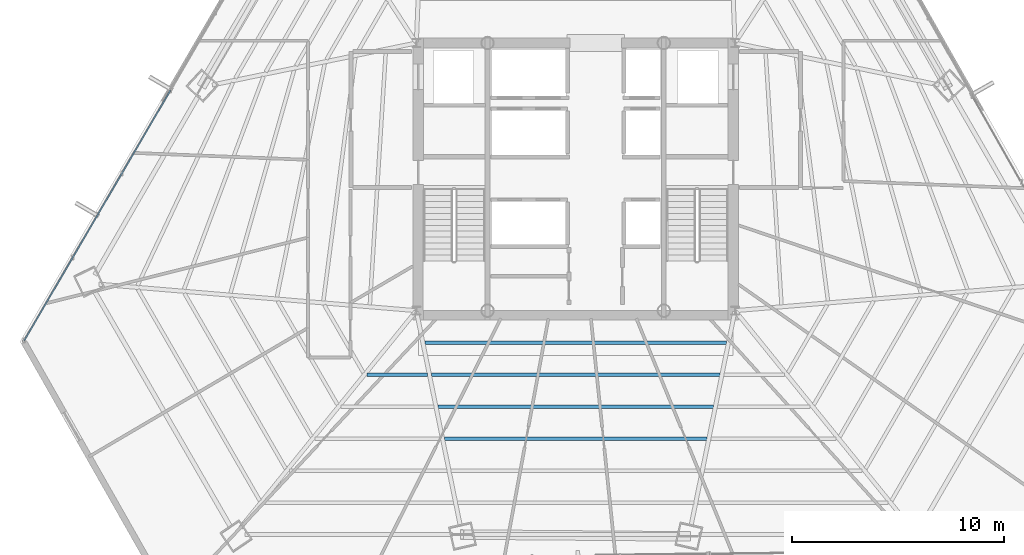
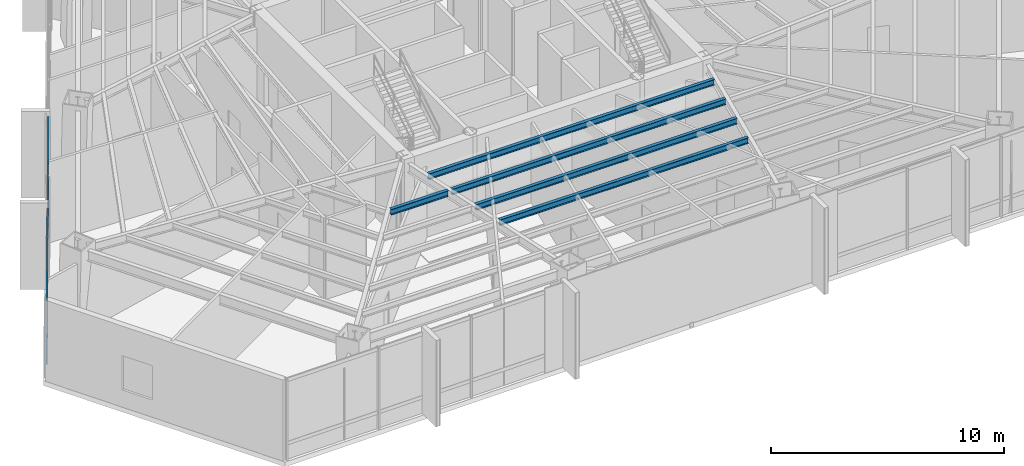
# One storey, part 9 of 37: 5 beams, 2 members, 1 element without a shape of its own.
"""IFC4 building model written with IfcOpenShell, lengths in metres."""

from ifc_helpers import new_model, si_unit, direction, frame, origin, origin_2d, place, context, subcontext, project, spatial, hollow_rectangle, i_section, extrude, source, transform, mapped, material, material_profile, profile_set, type_object, type_shapes, element, aggregate, save


model = new_model("IFC4")

# Units and contexts
model_context = context("Model", 3, precision=1e-05, world=origin(), true_north=direction((0.0, 1.0)))
body_context = subcontext(model_context, "Body", "Model", "MODEL_VIEW")
ifc_project = project(units=[si_unit("LENGTHUNIT", "METRE"), si_unit("AREAUNIT", "SQUARE_METRE"), si_unit("VOLUMEUNIT", "CUBIC_METRE"), si_unit("PLANEANGLEUNIT", "RADIAN"), si_unit("MASSUNIT", "GRAM", prefix="KILO")], contexts=[model_context])

# Site, building, storey
site_placement = place(None, origin())
site = spatial("IfcSite", under=ifc_project, at=site_placement, CompositionType="ELEMENT")
building_placement = place(site_placement, origin())
building = spatial("IfcBuilding", under=site, at=building_placement, Name="Caelisora Broadcast Tower", CompositionType="ELEMENT")
storey_placement = place(building_placement, frame((0.0, 0.0, 127.300048828125)))
storey = spatial("IfcBuildingStorey", under=building, at=storey_placement, Name="L33", CompositionType="ELEMENT", Elevation=127.300048828125)

# Beams
ifc_material_1 = material(Name="Steel Grade 350 (AS/NZS 3679.1)", Category="steel")
ifc_material_profile_1 = material_profile(ifc_material_1, i_section(OverallWidth=0.166015625, OverallDepth=0.30712890625, WebThickness=0.006591796875, FlangeThickness=0.01171875, at=origin_2d()), Name="Steel Grade 350 (AS/NZS 3679.1)")
ifc_profile_set_1 = profile_set([ifc_material_profile_1], Name="Steel Grade 350 (AS/NZS 3679.1)")
beam_type = type_object("IfcBeamType", Name="SB03", PredefinedType="JOIST", material=ifc_profile_set_1)
shared_shape_1 = source(origin(), body_context, "Body", "SweptSolid", [
    extrude(i_section(OverallWidth=0.166015625, OverallDepth=0.30712890625, WebThickness=0.006591796875, FlangeThickness=0.01171875, at=origin_2d()), origin(), (0.0, 0.0, 1.0), 2.840087890625),
])
beam_1_placement = place(storey_placement, frame((28.18115234375, 14.3896484375, 4.096435546875), z_axis=(1.0, 0.0, 0.0), x_axis=(0.0, 1.0, 0.0)))
element("IfcBeam", 1, at=beam_1_placement, inside=storey, type_object=beam_type, Name="L33 beam SB03", PredefinedType="JOIST", context=body_context, shape_type="MappedRepresentation", body=[
    mapped(shared_shape_1, transform((0.0, 0.0, 0.0), scale=1.0)),
])
shared_shape_2 = source(origin(), body_context, "Body", "SweptSolid", [
    extrude(i_section(OverallWidth=0.166015625, OverallDepth=0.30712890625, WebThickness=0.006591796875, FlangeThickness=0.01171875, at=origin_2d()), origin(), (0.0, 0.0, 1.0), 14.1953125),
])
beam_2_placement = place(storey_placement, frame((30.90234375, 15.894775390625, 4.096435546875), z_axis=(1.0, 0.0, 0.0), x_axis=(0.0, 1.0, 0.0)))
element("IfcBeam", 2, at=beam_2_placement, inside=storey, type_object=beam_type, Name="L33 beam SB03", PredefinedType="JOIST", context=body_context, shape_type="MappedRepresentation", body=[
    mapped(shared_shape_2, transform((0.0, 0.0, 0.0), scale=1.0)),
])
shared_shape_3 = source(origin(), body_context, "Body", "SweptSolid", [
    extrude(i_section(OverallWidth=0.166015625, OverallDepth=0.30712890625, WebThickness=0.006591796875, FlangeThickness=0.01171875, at=origin_2d()), origin(), (0.0, 0.0, 1.0), 13.57958984375),
])
beam_3_placement = place(storey_placement, frame((31.210205078125, 14.3896484375, 4.096435546875), z_axis=(1.0, 0.0, 0.0), x_axis=(0.0, 1.0, 0.0)))
element("IfcBeam", 3, at=beam_3_placement, inside=storey, type_object=beam_type, Name="L33 beam SB03", PredefinedType="JOIST", context=body_context, shape_type="MappedRepresentation", body=[
    mapped(shared_shape_3, transform((0.0, 0.0, 0.0), scale=1.0)),
])
shared_shape_4 = source(origin(), body_context, "Body", "SweptSolid", [
    extrude(i_section(OverallWidth=0.166015625, OverallDepth=0.30712890625, WebThickness=0.006591796875, FlangeThickness=0.01171875, at=origin_2d()), origin(), (0.0, 0.0, 1.0), 12.9638671875),
])
beam_4_placement = place(storey_placement, frame((31.51806640625, 12.884521484375, 4.096435546875), z_axis=(1.0, 0.0, 0.0), x_axis=(0.0, 1.0, 0.0)))
element("IfcBeam", 4, at=beam_4_placement, inside=storey, type_object=beam_type, Name="L33 beam SB03", PredefinedType="JOIST", context=body_context, shape_type="MappedRepresentation", body=[
    mapped(shared_shape_4, transform((0.0, 0.0, 0.0), scale=1.0)),
])
shared_shape_5 = source(origin(), body_context, "Body", "SweptSolid", [
    extrude(i_section(OverallWidth=0.166015625, OverallDepth=0.30712890625, WebThickness=0.006591796875, FlangeThickness=0.01171875, at=origin_2d()), origin(), (0.0, 0.0, 1.0), 12.3486328125),
])
type_shapes(beam_type, [shared_shape_1, shared_shape_2, shared_shape_3, shared_shape_4, shared_shape_5])
beam_5_placement = place(storey_placement, frame((31.82568359375, 11.37939453125, 4.096435546875), z_axis=(1.0, 0.0, 0.0), x_axis=(0.0, 1.0, 0.0)))
element("IfcBeam", 5, at=beam_5_placement, inside=storey, type_object=beam_type, Name="L33 beam SB03", PredefinedType="JOIST", context=body_context, shape_type="MappedRepresentation", body=[
    mapped(shared_shape_5, transform((0.0, 0.0, 0.0), scale=1.0)),
])

# Curtain wall, members
ifc_material_2 = material(Name="Unitised Aluminium and Low-E Glass Curtain Wall", Category="glass")
curtain_wall_type = type_object("IfcCurtainWallType", Name="CW-SKY", PredefinedType="NOTDEFINED", material=ifc_material_2)
curtain_wall_placement = place(storey_placement, origin())
curtain_wall = element("IfcCurtainWall", 6, at=curtain_wall_placement, inside=storey, type_object=curtain_wall_type, Name="L33 curtain wall CW-SKY", PredefinedType="NOTDEFINED")
ifc_material_3 = material(Name="Aluminium 6063-T6 Anodised Terracotta Bronze", Category="aluminium")
ifc_material_profile_2 = material_profile(ifc_material_3, hollow_rectangle(XDim=0.06494140625, YDim=0.179931640625, WallThickness=0.00341796875, at=origin_2d()), Name="Aluminium 6063-T6 Anodised Terracotta Bronze")
ifc_profile_set_2 = profile_set([ifc_material_profile_2], Name="Aluminium 6063-T6 Anodised Terracotta Bronze")
member_type = type_object("IfcMemberType", Name="CWT-01", PredefinedType="USERDEFINED", material=ifc_profile_set_2)
shared_shape_6 = source(origin(), body_context, "Body", "SweptSolid", [
    extrude(hollow_rectangle(XDim=0.06494140625, YDim=0.179931640625, WallThickness=0.00341796875, at=origin_2d()), origin(), (0.0, 0.0, 1.0), 13.6416015625),
])
type_shapes(member_type, [shared_shape_6])
member_1_placement = place(storey_placement, frame((12.044189453125, 15.9892578125, 0.849853515625), z_axis=(0.504528517118, 0.863395028602, 0.0), x_axis=(-0.863395028602, 0.504528517118, 0.0)))
member_1 = element("IfcMember", 7, at=member_1_placement, type_object=member_type, Name="L33-CW-B09 transom #1", ObjectType="TRANSOM", PredefinedType="USERDEFINED", context=body_context, shape_type="MappedRepresentation", body=[
    mapped(shared_shape_6, transform((0.0, 0.0, 0.0), scale=1.0)),
])
member_2_placement = place(storey_placement, frame((12.044189453125, 15.9892578125, 4.169921875), z_axis=(0.504528517118, 0.863395028602, 0.0), x_axis=(-0.863395028602, 0.504528517118, 0.0)))
member_2 = element("IfcMember", 8, at=member_2_placement, type_object=member_type, Name="L33-CW-B09 transom #2", ObjectType="TRANSOM", PredefinedType="USERDEFINED", context=body_context, shape_type="MappedRepresentation", body=[
    mapped(shared_shape_6, transform((0.0, 0.0, 0.0), scale=1.0)),
])
aggregate(curtain_wall, [member_1, member_2])

save(model, "model.ifc")
